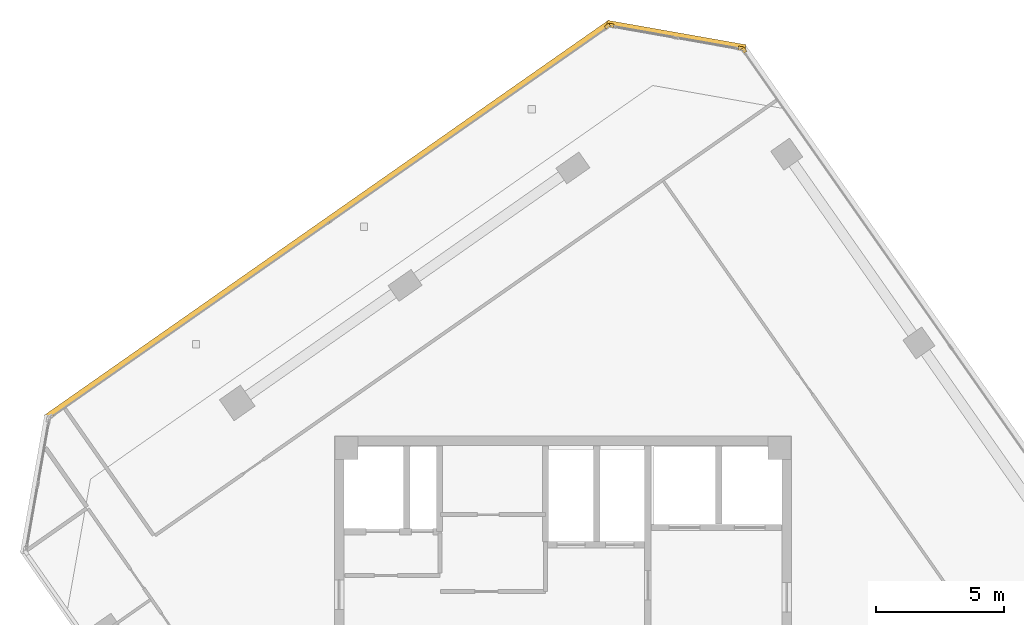
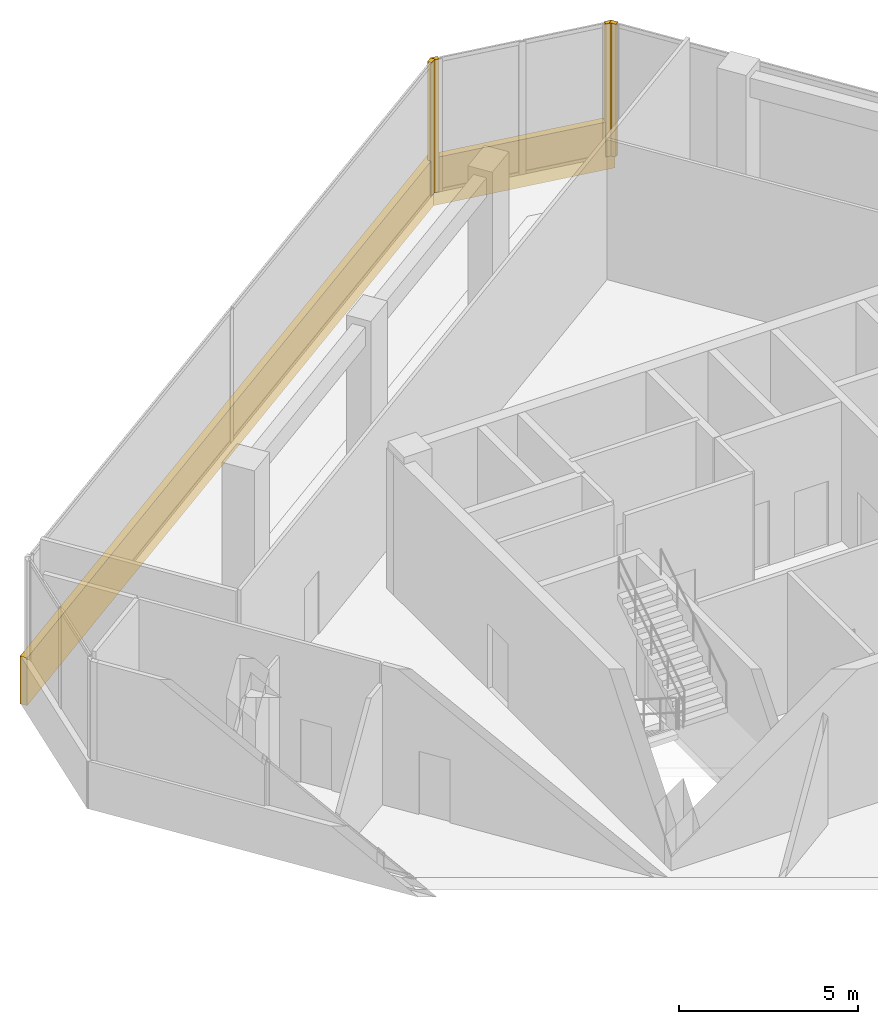
# One storey, part 16 of 16: 6 coverings.
"""IFC4 building model written with IfcOpenShell, lengths in metres."""

from ifc_helpers import new_model, si_unit, direction, frame, origin, origin_2d, place, context, subcontext, project, spatial, rectangle, extrude, source, transform, mapped, material, layer, layer_set, type_object, element, save


model = new_model("IFC4")

# Units and contexts
model_context = context("Model", 3, precision=1e-05, world=origin(), true_north=direction((0.0, 1.0)))
body_context = subcontext(model_context, "Body", "Model", "MODEL_VIEW")
ifc_project = project(units=[si_unit("LENGTHUNIT", "METRE"), si_unit("AREAUNIT", "SQUARE_METRE"), si_unit("VOLUMEUNIT", "CUBIC_METRE"), si_unit("PLANEANGLEUNIT", "RADIAN"), si_unit("MASSUNIT", "GRAM", prefix="KILO")], contexts=[model_context])

# Site, building, storey
site_placement = place(None, origin())
site = spatial("IfcSite", under=ifc_project, at=site_placement, CompositionType="ELEMENT")
building_placement = place(site_placement, origin())
building = spatial("IfcBuilding", under=site, at=building_placement, Name="Torre Montelarca", CompositionType="ELEMENT")
storey_placement = place(building_placement, frame((0.0, 0.0, 293.800048828125)))
storey = spatial("IfcBuildingStorey", under=building, at=storey_placement, Name="L66", CompositionType="ELEMENT", Elevation=293.800048828125)

# Coverings
ifc_material = material(Name="Bush-hammered warm white precast concrete C45/55", Category="concrete")
ifc_layer = layer(ifc_material, 0.139892578125, Name="Bush-hammered warm white precast concrete C45/55", Category="concrete")
ifc_layer_set = layer_set([ifc_layer], Name="Bush-hammered warm white precast concrete C45/55")
covering_type = type_object("IfcCoveringType", Name="COV-TRAY-CLAD", PredefinedType="CLADDING", material=ifc_layer_set)
shared_shape_1 = source(origin(), body_context, "Body", "SweptSolid", [
    extrude(rectangle(XDim=0.199951171875, YDim=0.139892578125, at=origin_2d()), origin(), (0.0, 0.0, 1.0), 4.52001953125),
])
for number, where, z_axis, x_axis, name in (
    (1, (25.069580078125, 54.989013671875, 0.0), (0.0, 0.0, 1.0), (-0.573573576968, 0.819154046443, 0.0), "L66 Architectural Column Pier Cladding E08-2"),
    (2, (24.947021484375, 55.067138671875, 0.0), (0.0, 0.0, 1.0), (-0.984808056084, 0.173646458853, 0.0), "L66 Architectural Column Pier Cladding E09-1"),
    (3, (19.883056640625, 55.9599609375, 0.0), (0.0, 0.0, 1.0), (-0.984808056084, 0.173646458853, 0.0), "L66 Architectural Column Pier Cladding E09-2"),
    (4, (19.7412109375, 55.9287109375, 0.0), (0.0, 0.0, 1.0), (-0.819153045367, -0.57357500666, 0.0), "L66 Architectural Column Pier Cladding E10-1"),
):
    element("IfcCovering", number, at=place(storey_placement, frame(where, z_axis=z_axis, x_axis=x_axis)), inside=storey, type_object=covering_type, Name=name, PredefinedType="CLADDING", context=body_context, shape_type="MappedRepresentation", body=[
        mapped(shared_shape_1, transform((0.0, 0.0, 0.0), scale=1.0)),
    ])
shared_shape_2 = source(origin(), body_context, "Body", "SweptSolid", [
    extrude(rectangle(XDim=5.493896484375, YDim=0.219970703125, at=origin_2d()), origin(), (0.0, 0.0, 1.0), 1.6201171875),
])
covering_1_placement = place(storey_placement, frame((22.42529296875, 55.57275390625, -0.4501953125), z_axis=(0.0, 0.0, 1.0), x_axis=(-0.984806843779, 0.173653334106, 0.0)))
element("IfcCovering", 5, at=covering_1_placement, inside=storey, type_object=covering_type, Name="L66 Architectural White Spandrel Tray Band TRYBOT-09", PredefinedType="CLADDING", context=body_context, shape_type="MappedRepresentation", body=[
    mapped(shared_shape_2, transform((0.0, 0.0, 0.0), scale=1.0)),
])
shared_shape_3 = source(origin(), body_context, "Body", "SweptSolid", [
    extrude(rectangle(XDim=26.920166015625, YDim=0.219970703125, at=origin_2d()), origin(), (0.0, 0.0, 1.0), 1.6201171875),
])
covering_2_placement = place(storey_placement, frame((8.8251953125, 48.3583984375, -0.4501953125), z_axis=(0.0, 0.0, 1.0), x_axis=(-0.819151043208, -0.57357786604, 0.0)))
element("IfcCovering", 6, at=covering_2_placement, inside=storey, type_object=covering_type, Name="L66 Architectural White Spandrel Tray Band TRYBOT-10", PredefinedType="CLADDING", context=body_context, shape_type="MappedRepresentation", body=[
    mapped(shared_shape_3, transform((0.0, 0.0, 0.0), scale=1.0)),
])

save(model, "model.ifc")
